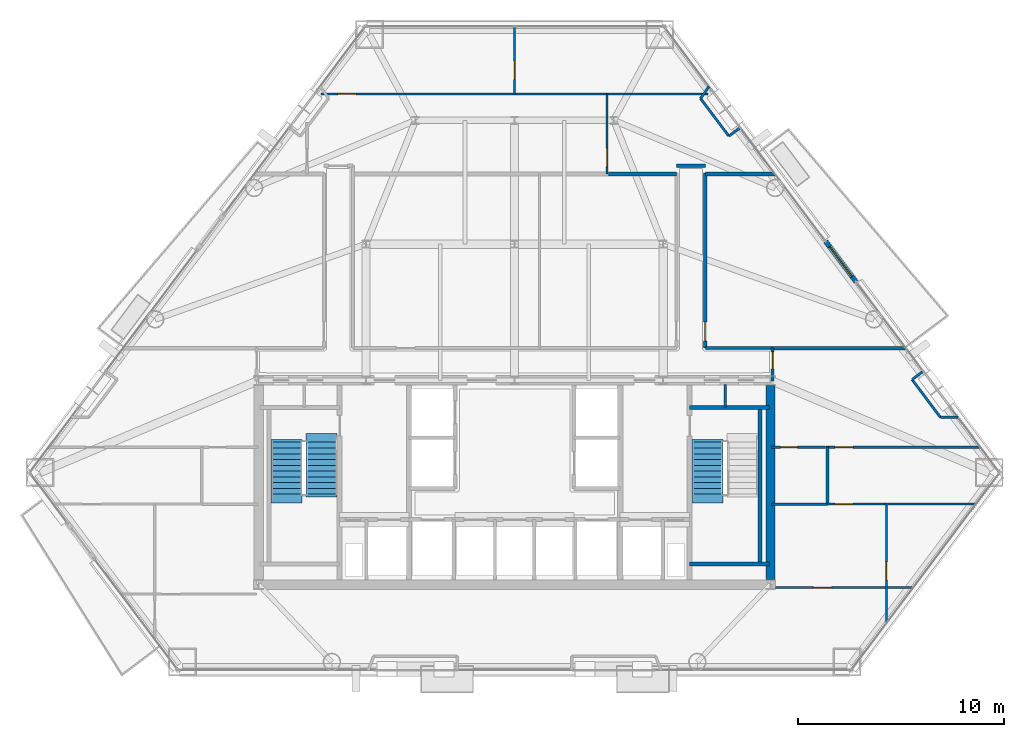
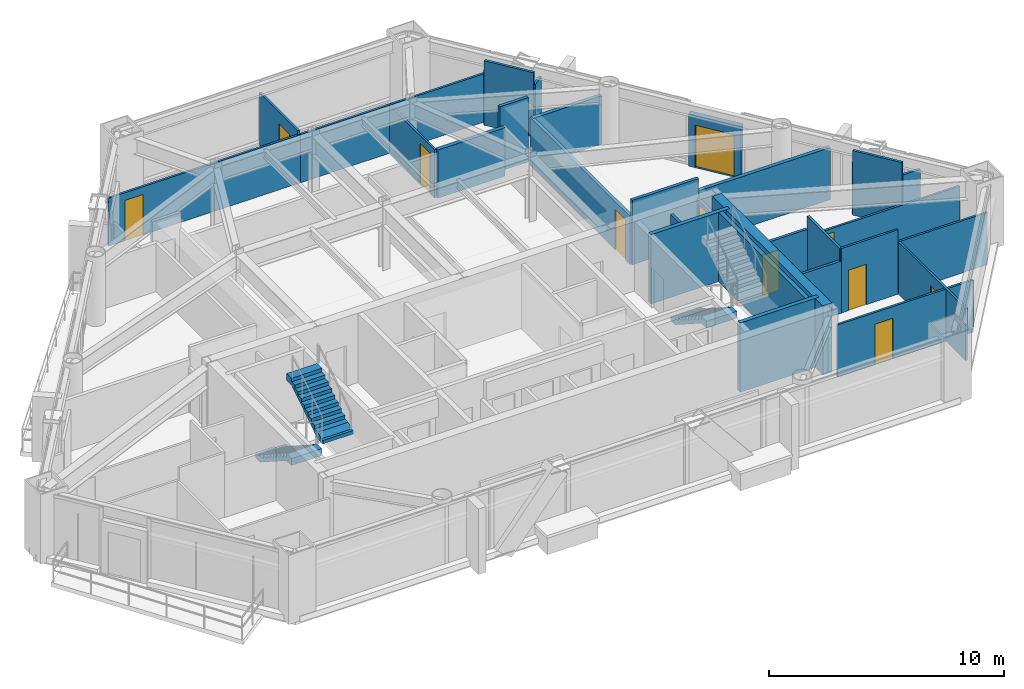
# One storey, part 8 of 11: 31 walls, 11 doors, 3 stair flights, 11 openings, 2 elements without a shape of their own.
"""IFC4 building model written with IfcOpenShell, lengths in metres."""

from ifc_helpers import new_model, si_unit, direction, frame, frame_2d, origin, place, context, subcontext, project, spatial, polyline, rectangle, outline, extrude, material, layer, layer_set, type_object, element, fill, aggregate, save


model = new_model("IFC4")

# Units and contexts
model_context = context("Model", 3, precision=1e-05, world=origin(), true_north=direction((0.0, 1.0)))
body_context = subcontext(model_context, "Body", "Model", "MODEL_VIEW")
ifc_project = project(units=[si_unit("LENGTHUNIT", "METRE"), si_unit("AREAUNIT", "SQUARE_METRE"), si_unit("VOLUMEUNIT", "CUBIC_METRE"), si_unit("PLANEANGLEUNIT", "RADIAN"), si_unit("MASSUNIT", "GRAM", prefix="KILO")], contexts=[model_context])

# Site, building, storey
site_placement = place(None, origin())
site = spatial("IfcSite", under=ifc_project, at=site_placement, CompositionType="ELEMENT")
building_placement = place(site_placement, origin())
building = spatial("IfcBuilding", under=site, at=building_placement, Name="Talgorran Terracotta Tower", CompositionType="ELEMENT")
storey_placement = place(building_placement, frame((0.0, 0.0, 68.39990234375)))
storey = spatial("IfcBuildingStorey", under=building, at=storey_placement, Name="L17", CompositionType="ELEMENT", Elevation=68.39990234375)

# Wall, opening, door
ifc_material_1 = material(Name="Concrete C40/50", Category="concrete")
ifc_layer_1 = layer(ifc_material_1, 0.239990234375, Name="WT_BALCONY_SPAND")
ifc_layer_set_1 = layer_set([ifc_layer_1], Name="Concrete C40/50")
wall_type_1 = type_object("IfcWallType", Name="WT_BALCONY_SPAND", PredefinedType="STANDARD", material=ifc_layer_set_1)
wall_1_placement = place(storey_placement, frame((16.54150390625, 0.5830078125, -0.014892578125), z_axis=(0.0, 0.0, 1.0), x_axis=(-0.601247991813, 0.799062483377, 0.0)))
wall_1 = element("IfcWall", 1, at=wall_1_placement, inside=storey, type_object=wall_type_1, Name="WL-L17-BALP-BAL-NE", PredefinedType="STANDARD", context=body_context, shape_type="SweptSolid", body=[
    extrude(rectangle(XDim=2.43994140625, YDim=0.239990234375, at=frame_2d((1.219970703125, 0.0))), origin(), (0.0, 0.0, 1.0), 2.728271484375),
])
opening_1_placement = place(wall_1_placement, frame((0.320068359375, 0.0, 0.014892578125)))
opening_1 = element("IfcOpeningElement", 2, at=opening_1_placement, cuts=wall_1, Name="Opening D-BAL-L17-1", PredefinedType="OPENING", context=body_context, shape_type="SweptSolid", body=[
    extrude(rectangle(XDim=1.806048828125, YDim=2.203951171875, at=frame_2d((0.89990234375, 1.10205078125))), frame((0.0, 0.1298828125, 0.0), z_axis=(0.0, -1.0, 0.0), x_axis=(1.0, 0.0, 0.0)), (0.0, 0.0, 1.0), 0.260009765625),
])
ifc_material_2 = material(Name="Thermally Broken Aluminium", Category="aluminium")
door_type_1 = type_object("IfcDoorType", Name="DT_BALC_1800", OperationType="SLIDING_TO_LEFT", PredefinedType="DOOR", material=ifc_material_2)
door_1_placement = place(opening_1_placement, origin())
door_1 = element("IfcDoor", 3, at=door_1_placement, inside=storey, type_object=door_type_1, Name="DR-L17-BAL-BAL-NE", OperationType="SLIDING_TO_LEFT", OverallHeight=2.199951171875, OverallWidth=1.800048828125, PredefinedType="DOOR", context=body_context, shape_type="SweptSolid", body=[
    extrude(rectangle(XDim=1.800048828125, YDim=2.199951171875, at=frame_2d((0.89990234375, 1.10009765625))), frame((0.0, 0.02490234375, 0.0), z_axis=(0.0, -1.0, 0.0), x_axis=(1.0, 0.0, 0.0)), (0.0, 0.0, 1.0), 0.050048828125),
])
fill(opening_1, door_1)

# Walls
ifc_material_3 = material(Name="Concrete C50/60", Category="concrete")
ifc_layer_2 = layer(ifc_material_3, 0.199951171875, Name="WT_CORE_200")
ifc_layer_set_2 = layer_set([ifc_layer_2], Name="Concrete C50/60")
wall_type_2 = type_object("IfcWallType", Name="WT_CORE_200", PredefinedType="SOLIDWALL", material=ifc_layer_set_2)
for number, where, z_axis, x_axis, name in (
    (4, (8.47998046875, -5.52001953125, 0.0), (0.0, 0.0, 1.0), (1.0, 0.0, 0.0), "WL-L17-CW-ST2-N"),
    (5, (8.47998046875, -13.10009765625, 0.0), (0.0, 0.0, 1.0), (1.0, 0.0, 0.0), "WL-L17-CW-ST2-S"),
):
    element("IfcWall", number, at=place(storey_placement, frame(where, z_axis=z_axis, x_axis=x_axis)), inside=storey, type_object=wall_type_2, Name=name, PredefinedType="SOLIDWALL", context=body_context, shape_type="SweptSolid", body=[
        extrude(rectangle(XDim=3.8701171875, YDim=0.199951171875, at=frame_2d((1.93505859375, 0.0))), origin(), (0.0, 0.0, 1.0), 3.60009765625),
    ])
wall_2_placement = place(storey_placement, frame((11.89990234375, -13.10009765625, 0.0), z_axis=(0.0, 0.0, 1.0), x_axis=(0.0, 1.0, 0.0)))
element("IfcWall", 6, at=wall_2_placement, inside=storey, type_object=wall_type_2, Name="WL-L17-CW-ST2-E", PredefinedType="SOLIDWALL", context=body_context, shape_type="SweptSolid", body=[
    extrude(rectangle(XDim=7.580078125, YDim=0.199951171875, at=frame_2d((3.7900390625, 0.0))), origin(), (0.0, 0.0, 1.0), 3.60009765625),
])
ifc_material_4 = material(Name="Concrete C65/80", Category="concrete")
ifc_layer_3 = layer(ifc_material_4, 0.449951171875, Name="WT_CORE_EXT")
ifc_layer_set_3 = layer_set([ifc_layer_3], Name="Concrete C65/80")
wall_type_3 = type_object("IfcWallType", Name="WT_CORE_EXT", PredefinedType="SHEAR", material=ifc_layer_set_3)
wall_3_placement = place(storey_placement, frame((12.39990234375, -13.85009765625, 0.0), z_axis=(0.0, 0.0, 1.0), x_axis=(0.0, 1.0, 0.0)))
element("IfcWall", 7, at=wall_3_placement, inside=storey, type_object=wall_type_3, Name="WL-L17-CW-OUT-E", PredefinedType="SHEAR", context=body_context, shape_type="SweptSolid", body=[
    extrude(rectangle(XDim=9.400146484375, YDim=0.449951171875, at=frame_2d((4.7001953125, 0.0))), origin(), (0.0, 0.0, 1.0), 3.60009765625),
])

# Wall, opening, door
ifc_material_5 = material(Name="Fire-Rated Steel Stud Plasterboard", Category="steel")
ifc_layer_4 = layer(ifc_material_5, 0.14990234375, Name="WT_FIRE_150")
ifc_layer_set_4 = layer_set([ifc_layer_4], Name="Fire-Rated Steel Stud Plasterboard")
wall_type_4 = type_object("IfcWallType", Name="WT_FIRE_150", PredefinedType="PARTITIONING", material=ifc_layer_set_4)
wall_4_placement = place(storey_placement, frame((9.239990234375, -2.639892578125, 0.0), z_axis=(0.0, 0.0, 1.0), x_axis=(0.0, 1.0, 0.0)))
wall_4 = element("IfcWall", 8, at=wall_4_placement, inside=storey, type_object=wall_type_4, Name="WL-L17-W-L17-R09", PredefinedType="PARTITIONING", context=body_context, shape_type="SweptSolid", body=[
    extrude(rectangle(XDim=8.5, YDim=0.14990234375, at=frame_2d((4.25, 0.0))), origin(), (0.0, 0.0, 1.0), 2.509033203125),
])
opening_2_placement = place(wall_4_placement, frame((0.360107421875, 0.0, 0.0)))
opening_2 = element("IfcOpeningElement", 9, at=opening_2_placement, cuts=wall_4, Name="Opening DR-L17-R15", PredefinedType="OPENING", context=body_context, shape_type="SweptSolid", body=[
    extrude(rectangle(XDim=0.90590234375, YDim=2.10409765625, at=frame_2d((0.449951171875, 1.052001953125))), frame((0.0, 0.0849609375, 0.0), z_axis=(0.0, -1.0, 0.0), x_axis=(1.0, 0.0, 0.0)), (0.0, 0.0, 1.0), 0.169921875),
])
ifc_material_6 = material(Name="Fire-Rated Timber Core", Category="wood")
door_type_2 = type_object("IfcDoorType", Name="DT_FIRE_900", OperationType="NOTDEFINED", PredefinedType="DOOR", material=ifc_material_6)
door_2_placement = place(opening_2_placement, origin())
door_2 = element("IfcDoor", 10, at=door_2_placement, inside=storey, type_object=door_type_2, Name="DR-L17-R15", OperationType="SINGLE_SWING_LEFT", OverallHeight=2.10009765625, OverallWidth=0.89990234375, PredefinedType="DOOR", context=body_context, shape_type="SweptSolid", body=[
    extrude(rectangle(XDim=0.89990234375, YDim=2.10009765625, at=frame_2d((0.449951171875, 1.050048828125))), frame((0.0, 0.02490234375, 0.0), z_axis=(0.0, -1.0, 0.0), x_axis=(1.0, 0.0, 0.0)), (0.0, 0.0, 1.0), 0.050048828125),
])
fill(opening_2, door_2)

# Wall
wall_5_placement = place(storey_placement, frame((9.239990234375, -2.639892578125, 0.0), z_axis=(0.0, 0.0, 1.0), x_axis=(1.0, 0.0, 0.0)))
element("IfcWall", 11, at=wall_5_placement, inside=storey, type_object=wall_type_4, Name="WL-L17-W-L17-R10", PredefinedType="PARTITIONING", context=body_context, shape_type="SweptSolid", body=[
    extrude(rectangle(XDim=3.260009765625, YDim=0.14990234375, at=frame_2d((1.6298828125, 0.0))), origin(), (0.0, 0.0, 1.0), 3.35009765625),
])

# Wall, opening, door
wall_6_placement = place(storey_placement, frame((12.5, -4.239990234375, 0.0), z_axis=(0.0, 0.0, 1.0), x_axis=(0.0, 1.0, 0.0)))
wall_6 = element("IfcWall", 12, at=wall_6_placement, inside=storey, type_object=wall_type_4, Name="WL-L17-W-L17-R02", PredefinedType="PARTITIONING", context=body_context, shape_type="SweptSolid", body=[
    extrude(rectangle(XDim=1.60009765625, YDim=0.14990234375, at=frame_2d((0.800048828125, 0.0))), origin(), (0.0, 0.0, 1.0), 2.3251953125),
])
opening_3_placement = place(wall_6_placement, frame((0.602294921875, 0.0, 0.0)))
opening_3 = element("IfcOpeningElement", 13, at=opening_3_placement, cuts=wall_6, Name="Opening DR-L17-R07", PredefinedType="OPENING", context=body_context, shape_type="SweptSolid", body=[
    extrude(rectangle(XDim=0.826068359375, YDim=2.10409765625, at=frame_2d((0.41015625, 1.052001953125))), frame((0.0, 0.0849609375, 0.0), z_axis=(0.0, -1.0, 0.0), x_axis=(1.0, 0.0, 0.0)), (0.0, 0.0, 1.0), 0.169921875),
])
ifc_material_7 = material(Name="Moisture-Resistant Solid Timber", Category="wood")
door_type_3 = type_object("IfcDoorType", Name="DT_INT_820", OperationType="NOTDEFINED", PredefinedType="DOOR", material=ifc_material_7)
door_3_placement = place(opening_3_placement, origin())
door_3 = element("IfcDoor", 14, at=door_3_placement, inside=storey, type_object=door_type_3, Name="DR-L17-R07", OperationType="SINGLE_SWING_LEFT", OverallHeight=2.10009765625, OverallWidth=0.820068359375, PredefinedType="DOOR", context=body_context, shape_type="SweptSolid", body=[
    extrude(rectangle(XDim=0.820068359375, YDim=2.10009765625, at=frame_2d((0.41015625, 1.050048828125))), frame((0.0, 0.02490234375, 0.0), z_axis=(0.0, -1.0, 0.0), x_axis=(1.0, 0.0, 0.0)), (0.0, 0.0, 1.0), 0.050048828125),
])
fill(opening_3, door_3)

# Walls
wall_7_placement = place(storey_placement, frame((7.840087890625, 6.199951171875, 0.0), z_axis=(0.0, 0.0, 1.0), x_axis=(1.0, 0.0, 0.0)))
element("IfcWall", 15, at=wall_7_placement, inside=storey, type_object=wall_type_4, Name="WL-L17-W-L17-R15", PredefinedType="PARTITIONING", context=body_context, shape_type="SweptSolid", body=[
    extrude(rectangle(XDim=1.39990234375, YDim=0.14990234375, at=frame_2d((0.699951171875, 0.0))), origin(), (0.0, 0.0, 1.0), 3.35009765625),
])
ifc_material_8 = material(Name="Acoustic Stud and Plasterboard")
ifc_layer_5 = layer(ifc_material_8, 0.179931640625, Name="WT_PARTY_200")
ifc_layer_set_5 = layer_set([ifc_layer_5], Name="Acoustic Stud and Plasterboard")
wall_type_5 = type_object("IfcWallType", Name="WT_PARTY_200", PredefinedType="PARTITIONING", material=ifc_layer_set_5)
wall_8_placement = place(storey_placement, frame((12.5, -2.639892578125, 0.0), z_axis=(0.0, 0.0, 1.0), x_axis=(1.0, 0.0, 0.0)))
element("IfcWall", 16, at=wall_8_placement, inside=storey, type_object=wall_type_5, Name="WL-L17-W-L17-R29", PredefinedType="PARTITIONING", context=body_context, shape_type="SweptSolid", body=[
    extrude(rectangle(XDim=6.466552734375, YDim=0.179931640625, at=frame_2d((3.2333984375, 0.0))), origin(), (0.0, 0.0, 1.0), 2.71337890625),
])
wall_9_placement = place(storey_placement, frame((4.5419921875, 5.800048828125, 0.0), z_axis=(0.0, 0.0, 1.0), x_axis=(1.0, 0.0, 0.0)))
element("IfcWall", 17, at=wall_9_placement, inside=storey, type_object=wall_type_5, Name="WL-L17-W-L17-R41", PredefinedType="PARTITIONING", context=body_context, shape_type="SweptSolid", body=[
    extrude(rectangle(XDim=3.298095703125, YDim=0.179931640625, at=frame_2d((1.64892578125, 0.0))), origin(), (0.0, 0.0, 1.0), 2.509033203125),
])
wall_10_placement = place(storey_placement, frame((9.239990234375, 5.800048828125, 0.0), z_axis=(0.0, 0.0, 1.0), x_axis=(1.0, 0.0, 0.0)))
element("IfcWall", 18, at=wall_10_placement, inside=storey, type_object=wall_type_5, Name="WL-L17-W-L17-R42", PredefinedType="PARTITIONING", context=body_context, shape_type="SweptSolid", body=[
    extrude(rectangle(XDim=3.376220703125, YDim=0.179931640625, at=frame_2d((1.68798828125, 0.0))), origin(), (0.0, 0.0, 1.0), 2.509033203125),
])

# Wall, opening, door
ifc_material_9 = material(Name="Lightweight Steel Stud Partition", Category="steel")
ifc_layer_6 = layer(ifc_material_9, 0.10498046875, Name="WT_PART_110")
ifc_layer_set_6 = layer_set([ifc_layer_6], Name="Lightweight Steel Stud Partition")
wall_type_6 = type_object("IfcWallType", Name="WT_PART_110", PredefinedType="PARTITIONING", material=ifc_layer_set_6)
wall_11_placement = place(storey_placement, frame((-9.3798828125, 9.679931640625, 0.0), z_axis=(0.0, 0.0, 1.0), x_axis=(1.0, 0.0, 0.0)))
wall_11 = element("IfcWall", 19, at=wall_11_placement, inside=storey, type_object=wall_type_6, Name="WL-L17-W-L17-R44", PredefinedType="PARTITIONING", context=body_context, shape_type="SweptSolid", body=[
    extrude(rectangle(XDim=9.43994140625, YDim=0.10498046875, at=frame_2d((4.719970703125, 0.0))), origin(), (0.0, 0.0, 1.0), 2.509033203125),
])
opening_4_placement = place(wall_11_placement, frame((0.81884765625, 0.0, 0.0)))
opening_4 = element("IfcOpeningElement", 20, at=opening_4_placement, cuts=wall_11, Name="Opening DR-L17-R18", PredefinedType="OPENING", context=body_context, shape_type="SweptSolid", body=[
    extrude(rectangle(XDim=0.8858828125, YDim=2.10409765625, at=frame_2d((0.43994140625, 1.052001953125))), frame((0.0, 0.0625, 0.0), z_axis=(0.0, -1.0, 0.0), x_axis=(1.0, 0.0, 0.0)), (0.0, 0.0, 1.0), 0.125),
])
ifc_material_10 = material(Name="Solid-Core Painted Timber", Category="wood")
door_type_4 = type_object("IfcDoorType", Name="DT_INT_880", OperationType="NOTDEFINED", PredefinedType="DOOR", material=ifc_material_10)
door_4_placement = place(opening_4_placement, origin())
door_4 = element("IfcDoor", 21, at=door_4_placement, inside=storey, type_object=door_type_4, Name="DR-L17-R18", OperationType="SINGLE_SWING_RIGHT", OverallHeight=2.10009765625, OverallWidth=0.8798828125, PredefinedType="DOOR", context=body_context, shape_type="SweptSolid", body=[
    extrude(rectangle(XDim=0.8798828125, YDim=2.10009765625, at=frame_2d((0.43994140625, 1.050048828125))), frame((0.0, 0.02490234375, 0.0), z_axis=(0.0, -1.0, 0.0), x_axis=(1.0, 0.0, 0.0)), (0.0, 0.0, 1.0), 0.050048828125),
])
fill(opening_4, door_4)

wall_12_placement = place(storey_placement, frame((15.080078125, -7.43994140625, 0.0), z_axis=(0.0, 0.0, 1.0), x_axis=(1.0, 0.0, 0.0)))
wall_12 = element("IfcWall", 22, at=wall_12_placement, inside=storey, type_object=wall_type_6, Name="WL-L17-W-L17-R28", PredefinedType="PARTITIONING", context=body_context, shape_type="SweptSolid", body=[
    extrude(rectangle(XDim=7.498046875, YDim=0.10498046875, at=frame_2d((3.7490234375, 0.0))), origin(), (0.0, 0.0, 1.0), 2.3251953125),
])
opening_5_placement = place(wall_12_placement, frame((0.43994140625, 0.0, 0.0)))
opening_5 = element("IfcOpeningElement", 23, at=opening_5_placement, cuts=wall_12, Name="Opening DR-L17-R09", PredefinedType="OPENING", context=body_context, shape_type="SweptSolid", body=[
    extrude(rectangle(XDim=0.8858828125, YDim=2.10409765625, at=frame_2d((0.43994140625, 1.052001953125))), frame((0.0, 0.0625, 0.0), z_axis=(0.0, -1.0, 0.0), x_axis=(1.0, 0.0, 0.0)), (0.0, 0.0, 1.0), 0.125),
])
door_5_placement = place(opening_5_placement, origin())
door_5 = element("IfcDoor", 24, at=door_5_placement, inside=storey, type_object=door_type_4, Name="DR-L17-R09", OperationType="SINGLE_SWING_LEFT", OverallHeight=2.10009765625, OverallWidth=0.8798828125, PredefinedType="DOOR", context=body_context, shape_type="SweptSolid", body=[
    extrude(rectangle(XDim=0.8798828125, YDim=2.10009765625, at=frame_2d((0.43994140625, 1.050048828125))), frame((0.0, 0.02490234375, 0.0), z_axis=(0.0, -1.0, 0.0), x_axis=(1.0, 0.0, 0.0)), (0.0, 0.0, 1.0), 0.050048828125),
])
fill(opening_5, door_5)

wall_13_placement = place(storey_placement, frame((12.652099609375, -14.239990234375, 0.0), z_axis=(0.0, 0.0, 1.0), x_axis=(1.0, 0.0, 0.0)))
wall_13 = element("IfcWall", 25, at=wall_13_placement, inside=storey, type_object=wall_type_6, Name="WL-L17-W-L17-R34", PredefinedType="PARTITIONING", context=body_context, shape_type="SweptSolid", body=[
    extrude(rectangle(XDim=6.664794921875, YDim=0.10498046875, at=frame_2d((3.33251953125, 0.0))), origin(), (0.0, 0.0, 1.0), 2.71337890625),
])
opening_6_placement = place(wall_13_placement, frame((1.832275390625, 0.0, 0.0)))
opening_6 = element("IfcOpeningElement", 26, at=opening_6_placement, cuts=wall_13, Name="Opening DR-L17-R10", PredefinedType="OPENING", context=body_context, shape_type="SweptSolid", body=[
    extrude(rectangle(XDim=0.8858828125, YDim=2.10409765625, at=frame_2d((0.43994140625, 1.052001953125))), frame((0.0, 0.0625, 0.0), z_axis=(0.0, -1.0, 0.0), x_axis=(1.0, 0.0, 0.0)), (0.0, 0.0, 1.0), 0.125),
])
door_6_placement = place(opening_6_placement, origin())
door_6 = element("IfcDoor", 27, at=door_6_placement, inside=storey, type_object=door_type_4, Name="DR-L17-R10", OperationType="SINGLE_SWING_RIGHT", OverallHeight=2.10009765625, OverallWidth=0.8798828125, PredefinedType="DOOR", context=body_context, shape_type="SweptSolid", body=[
    extrude(rectangle(XDim=0.8798828125, YDim=2.10009765625, at=frame_2d((0.43994140625, 1.050048828125))), frame((0.0, 0.02490234375, 0.0), z_axis=(0.0, -1.0, 0.0), x_axis=(1.0, 0.0, 0.0)), (0.0, 0.0, 1.0), 0.050048828125),
])
fill(opening_6, door_6)

wall_14_placement = place(storey_placement, frame((18.02001953125, -15.963623046875, 0.0), z_axis=(0.0, 0.0, 1.0), x_axis=(0.0, 1.0, 0.0)))
wall_14 = element("IfcWall", 28, at=wall_14_placement, inside=storey, type_object=wall_type_6, Name="WL-L17-W-L17-R35", PredefinedType="PARTITIONING", context=body_context, shape_type="SweptSolid", body=[
    extrude(rectangle(XDim=5.763671875, YDim=0.10498046875, at=frame_2d((2.8818359375, 0.0))), origin(), (0.0, 0.0, 1.0), 2.71337890625),
])
opening_7_placement = place(wall_14_placement, frame((2.080322265625, 0.0, 0.0)))
opening_7 = element("IfcOpeningElement", 29, at=opening_7_placement, cuts=wall_14, Name="Opening DR-L17-R11", PredefinedType="OPENING", context=body_context, shape_type="SweptSolid", body=[
    extrude(rectangle(XDim=0.8858828125, YDim=2.10409765625, at=frame_2d((0.43994140625, 1.052001953125))), frame((0.0, 0.0625, 0.0), z_axis=(0.0, -1.0, 0.0), x_axis=(1.0, 0.0, 0.0)), (0.0, 0.0, 1.0), 0.125),
])
door_7_placement = place(opening_7_placement, origin())
door_7 = element("IfcDoor", 30, at=door_7_placement, inside=storey, type_object=door_type_4, Name="DR-L17-R11", OperationType="SINGLE_SWING_LEFT", OverallHeight=2.10009765625, OverallWidth=0.8798828125, PredefinedType="DOOR", context=body_context, shape_type="SweptSolid", body=[
    extrude(rectangle(XDim=0.8798828125, YDim=2.10009765625, at=frame_2d((0.43994140625, 1.050048828125))), frame((0.0, 0.02490234375, 0.0), z_axis=(0.0, -1.0, 0.0), x_axis=(1.0, 0.0, 0.0)), (0.0, 0.0, 1.0), 0.050048828125),
])
fill(opening_7, door_7)

# Walls
wall_15_placement = place(storey_placement, frame((0.06201171875, 9.679931640625, 0.0), z_axis=(0.0, 0.0, 1.0), x_axis=(1.0, 0.0, 0.0)))
element("IfcWall", 31, at=wall_15_placement, inside=storey, type_object=wall_type_6, Name="WL-L17-W-L17-R48", PredefinedType="PARTITIONING", context=body_context, shape_type="SweptSolid", body=[
    extrude(rectangle(XDim=9.31787109375, YDim=0.10498046875, at=frame_2d((4.658935546875, 0.0))), origin(), (0.0, 0.0, 1.0), 2.509033203125),
])
wall_16_placement = place(storey_placement, frame((17.9599609375, -10.199951171875, 0.0), z_axis=(0.0, 0.0, 1.0), x_axis=(1.0, 0.0, 0.0)))
element("IfcWall", 32, at=wall_16_placement, inside=storey, type_object=wall_type_6, Name="WL-L17-W-L17-R33", PredefinedType="PARTITIONING", context=body_context, shape_type="SweptSolid", body=[
    extrude(rectangle(XDim=4.396728515625, YDim=0.10498046875, at=frame_2d((2.1982421875, 0.0))), origin(), (0.0, 0.0, 1.0), 2.71337890625),
])

# Wall, opening, door
wall_17_placement = place(storey_placement, frame((4.47998046875, 5.800048828125, 0.0), z_axis=(0.0, 0.0, 1.0), x_axis=(0.0, 1.0, 0.0)))
wall_17 = element("IfcWall", 33, at=wall_17_placement, inside=storey, type_object=wall_type_6, Name="WL-L17-W-L17-R46", PredefinedType="PARTITIONING", context=body_context, shape_type="SweptSolid", body=[
    extrude(rectangle(XDim=3.8798828125, YDim=0.10498046875, at=frame_2d((1.93994140625, 0.0))), origin(), (0.0, 0.0, 1.0), 2.509033203125),
])
opening_8_placement = place(wall_17_placement, frame((0.356689453125, 0.0, 0.0)))
opening_8 = element("IfcOpeningElement", 34, at=opening_8_placement, cuts=wall_17, Name="Opening DR-L17-R20", PredefinedType="OPENING", context=body_context, shape_type="SweptSolid", body=[
    extrude(rectangle(XDim=0.8858828125, YDim=2.10409765625, at=frame_2d((0.43994140625, 1.052001953125))), frame((0.0, 0.0625, 0.0), z_axis=(0.0, -1.0, 0.0), x_axis=(1.0, 0.0, 0.0)), (0.0, 0.0, 1.0), 0.125),
])
door_8_placement = place(opening_8_placement, origin())
door_8 = element("IfcDoor", 35, at=door_8_placement, inside=storey, type_object=door_type_4, Name="DR-L17-R20", OperationType="SINGLE_SWING_RIGHT", OverallHeight=2.10009765625, OverallWidth=0.8798828125, PredefinedType="DOOR", context=body_context, shape_type="SweptSolid", body=[
    extrude(rectangle(XDim=0.8798828125, YDim=2.10009765625, at=frame_2d((0.43994140625, 1.050048828125))), frame((0.0, 0.02490234375, 0.0), z_axis=(0.0, -1.0, 0.0), x_axis=(1.0, 0.0, 0.0)), (0.0, 0.0, 1.0), 0.050048828125),
])
fill(opening_8, door_8)

wall_18_placement = place(storey_placement, frame((0.0, 9.679931640625, 0.0), z_axis=(0.0, 0.0, 1.0), x_axis=(0.0, 1.0, 0.0)))
wall_18 = element("IfcWall", 36, at=wall_18_placement, inside=storey, type_object=wall_type_6, Name="WL-L17-W-L17-R47", PredefinedType="PARTITIONING", context=body_context, shape_type="SweptSolid", body=[
    extrude(rectangle(XDim=3.27294921875, YDim=0.10498046875, at=frame_2d((1.636474609375, 0.0))), origin(), (0.0, 0.0, 1.0), 2.71337890625),
])
opening_9_placement = place(wall_18_placement, frame((0.712646484375, 0.0, 0.0)))
opening_9 = element("IfcOpeningElement", 37, at=opening_9_placement, cuts=wall_18, Name="Opening DR-L17-R19", PredefinedType="OPENING", context=body_context, shape_type="SweptSolid", body=[
    extrude(rectangle(XDim=0.8858828125, YDim=2.10409765625, at=frame_2d((0.43994140625, 1.052001953125))), frame((0.0, 0.0625, 0.0), z_axis=(0.0, -1.0, 0.0), x_axis=(1.0, 0.0, 0.0)), (0.0, 0.0, 1.0), 0.125),
])
door_9_placement = place(opening_9_placement, origin())
door_9 = element("IfcDoor", 38, at=door_9_placement, inside=storey, type_object=door_type_4, Name="DR-L17-R19", OperationType="SINGLE_SWING_LEFT", OverallHeight=2.10009765625, OverallWidth=0.8798828125, PredefinedType="DOOR", context=body_context, shape_type="SweptSolid", body=[
    extrude(rectangle(XDim=0.8798828125, YDim=2.10009765625, at=frame_2d((0.43994140625, 1.050048828125))), frame((0.0, 0.02490234375, 0.0), z_axis=(0.0, -1.0, 0.0), x_axis=(1.0, 0.0, 0.0)), (0.0, 0.0, 1.0), 0.050048828125),
])
fill(opening_9, door_9)

wall_19_placement = place(storey_placement, frame((15.159912109375, -10.199951171875, 0.0), z_axis=(0.0, 0.0, 1.0), x_axis=(1.0, 0.0, 0.0)))
wall_19 = element("IfcWall", 39, at=wall_19_placement, inside=storey, type_object=wall_type_6, Name="WL-L17-W-L17-R32", PredefinedType="PARTITIONING", context=body_context, shape_type="SweptSolid", body=[
    extrude(rectangle(XDim=2.798095703125, YDim=0.10498046875, at=frame_2d((1.39892578125, 0.0))), origin(), (0.0, 0.0, 1.0), 3.35009765625),
])
opening_10_placement = place(wall_19_placement, frame((0.360107421875, 0.0, 0.0)))
opening_10 = element("IfcOpeningElement", 40, at=opening_10_placement, cuts=wall_19, Name="Opening DR-L17-R21", PredefinedType="OPENING", context=body_context, shape_type="SweptSolid", body=[
    extrude(rectangle(XDim=0.8858828125, YDim=2.10409765625, at=frame_2d((0.43994140625, 1.052001953125))), frame((0.0, 0.0625, 0.0), z_axis=(0.0, -1.0, 0.0), x_axis=(1.0, 0.0, 0.0)), (0.0, 0.0, 1.0), 0.125),
])
door_10_placement = place(opening_10_placement, origin())
door_10 = element("IfcDoor", 41, at=door_10_placement, inside=storey, type_object=door_type_4, Name="DR-L17-R21", OperationType="SINGLE_SWING_LEFT", OverallHeight=2.10009765625, OverallWidth=0.8798828125, PredefinedType="DOOR", context=body_context, shape_type="SweptSolid", body=[
    extrude(rectangle(XDim=0.8798828125, YDim=2.10009765625, at=frame_2d((0.43994140625, 1.050048828125))), frame((0.0, 0.02490234375, 0.0), z_axis=(0.0, -1.0, 0.0), x_axis=(1.0, 0.0, 0.0)), (0.0, 0.0, 1.0), 0.050048828125),
])
fill(opening_10, door_10)

# Walls
ifc_material_11 = material(Name="Insulated Steel Stud Plasterboard", Category="steel")
ifc_layer_7 = layer(ifc_material_11, 0.1201171875, Name="WT_PART_120")
ifc_layer_set_7 = layer_set([ifc_layer_7], Name="Insulated Steel Stud Plasterboard")
wall_type_7 = type_object("IfcWallType", Name="WT_PART_120", PredefinedType="PARTITIONING", material=ifc_layer_set_7)
wall_20_placement = place(storey_placement, frame((10.199951171875, -5.52001953125, 0.0), z_axis=(0.0, 0.0, 1.0), x_axis=(0.0, 1.0, 0.0)))
element("IfcWall", 42, at=wall_20_placement, inside=storey, type_object=wall_type_7, Name="WL-L17-CW-CSE-DIV", PredefinedType="PARTITIONING", context=body_context, shape_type="SweptSolid", body=[
    extrude(rectangle(XDim=1.1201171875, YDim=0.1201171875, at=frame_2d((0.56005859375, 0.0))), origin(), (0.0, 0.0, 1.0), 3.35009765625),
])
for number, where, z_axis, x_axis, name in (
    (43, (10.384521484375, 7.634765625, 0.0), (0.0, 0.0, 1.0), (-0.601181786604, 0.799112294647, 0.0), "WL-L17-BW-L17-17"),
    (44, (20.633056640625, -5.98583984375, 0.0), (0.0, 0.0, 1.0), (-0.601181786604, 0.799112294647, 0.0), "WL-L17-BW-L17-12"),
):
    element("IfcWall", number, at=place(storey_placement, frame(where, z_axis=z_axis, x_axis=x_axis)), inside=storey, type_object=wall_type_7, Name=name, PredefinedType="PARTITIONING", context=body_context, shape_type="SweptSolid", body=[
        extrude(rectangle(XDim=2.279541015625, YDim=0.1201171875, at=frame_2d((1.1396484375, 0.0))), origin(), (0.0, 0.0, 1.0), 3.35009765625),
    ])
wall_21_placement = place(storey_placement, frame((21.4814453125, -5.9990234375, 0.0), z_axis=(0.0, 0.0, 1.0), x_axis=(-0.99987928277, 0.015537692452, 0.0)))
element("IfcWall", 45, at=wall_21_placement, inside=storey, type_object=wall_type_7, Name="WL-L17-BW-L17-11", PredefinedType="PARTITIONING", context=body_context, shape_type="SweptSolid", body=[
    extrude(rectangle(XDim=0.848388671875, YDim=0.1201171875, at=frame_2d((0.42431640625, 0.0))), origin(), (0.0, 0.0, 1.0), 2.71337890625),
])
wall_22_placement = place(storey_placement, frame((9.01416015625, 9.456298828125, 0.0), z_axis=(0.0, 0.0, 1.0), x_axis=(0.566924874962, 0.823769498191, 0.0)))
element("IfcWall", 46, at=wall_22_placement, inside=storey, type_object=wall_type_7, Name="WL-L17-BW-L17-18", PredefinedType="PARTITIONING", context=body_context, shape_type="SweptSolid", body=[
    extrude(rectangle(XDim=0.706298828125, YDim=0.1201171875, at=frame_2d((0.35302734375, 0.0))), origin(), (0.0, 0.0, 1.0), 2.71337890625),
])
for number, where, z_axis, x_axis, name in (
    (47, (10.919921875, 8.03759765625, 0.0), (0.0, 0.0, 1.0), (-0.799080830747, -0.601223607265, 0.0), "WL-L17-BW-L17-16"),
    (48, (19.2626953125, -4.164306640625, 0.0), (0.0, 0.0, 1.0), (0.798949061571, 0.601398700544, 0.0), "WL-L17-BW-L17-10"),
):
    element("IfcWall", number, at=place(storey_placement, frame(where, z_axis=z_axis, x_axis=x_axis)), inside=storey, type_object=wall_type_7, Name=name, PredefinedType="PARTITIONING", context=body_context, shape_type="SweptSolid", body=[
        extrude(rectangle(XDim=0.669921875, YDim=0.1201171875, at=frame_2d((0.3349609375, 0.0))), origin(), (0.0, 0.0, 1.0), 2.71337890625),
    ])

# Wall, opening, door
ifc_material_12 = material(Name="Moisture-Resistant Stud Wall")
ifc_layer_8 = layer(ifc_material_12, 0.135009765625, Name="WT_PART_135")
ifc_layer_set_8 = layer_set([ifc_layer_8], Name="Moisture-Resistant Stud Wall")
wall_type_8 = type_object("IfcWallType", Name="WT_PART_135", PredefinedType="PARTITIONING", material=ifc_layer_set_8)
wall_23_placement = place(storey_placement, frame((12.43994140625, -7.43994140625, 0.0), z_axis=(0.0, 0.0, 1.0), x_axis=(1.0, 0.0, 0.0)))
wall_23 = element("IfcWall", 49, at=wall_23_placement, inside=storey, type_object=wall_type_8, Name="WL-L17-W-L17-R27", PredefinedType="PARTITIONING", context=body_context, shape_type="SweptSolid", body=[
    extrude(rectangle(XDim=2.637939453125, YDim=0.135009765625, at=frame_2d((1.31884765625, 0.0))), origin(), (0.0, 0.0, 1.0), 2.71337890625),
])
opening_11_placement = place(wall_23_placement, frame((0.457763671875, 0.0, 0.0)))
opening_11 = element("IfcOpeningElement", 50, at=opening_11_placement, cuts=wall_23, Name="Opening DR-L17-R08", PredefinedType="OPENING", context=body_context, shape_type="SweptSolid", body=[
    extrude(rectangle(XDim=0.826068359375, YDim=2.10409765625, at=frame_2d((0.41015625, 1.052001953125))), frame((0.0, 0.07763671875, 0.0), z_axis=(0.0, -1.0, 0.0), x_axis=(1.0, 0.0, 0.0)), (0.0, 0.0, 1.0), 0.155029296875),
])
door_11_placement = place(opening_11_placement, origin())
door_11 = element("IfcDoor", 51, at=door_11_placement, inside=storey, type_object=door_type_3, Name="DR-L17-R08", OperationType="SINGLE_SWING_RIGHT", OverallHeight=2.10009765625, OverallWidth=0.820068359375, PredefinedType="DOOR", context=body_context, shape_type="SweptSolid", body=[
    extrude(rectangle(XDim=0.820068359375, YDim=2.10009765625, at=frame_2d((0.41015625, 1.050048828125))), frame((0.0, 0.02490234375, 0.0), z_axis=(0.0, -1.0, 0.0), x_axis=(1.0, 0.0, 0.0)), (0.0, 0.0, 1.0), 0.050048828125),
])
fill(opening_11, door_11)

# Walls
wall_24_placement = place(storey_placement, frame((15.159912109375, -10.199951171875, 0.0), z_axis=(0.0, 0.0, 1.0), x_axis=(0.0, 1.0, 0.0)))
element("IfcWall", 52, at=wall_24_placement, inside=storey, type_object=wall_type_8, Name="WL-L17-W-L17-R30", PredefinedType="PARTITIONING", context=body_context, shape_type="SweptSolid", body=[
    extrude(rectangle(XDim=2.760009765625, YDim=0.135009765625, at=frame_2d((1.3798828125, 0.0))), origin(), (0.0, 0.0, 1.0), 3.35009765625),
])
wall_25_placement = place(storey_placement, frame((12.43994140625, -10.199951171875, 0.0), z_axis=(0.0, 0.0, 1.0), x_axis=(1.0, 0.0, 0.0)))
element("IfcWall", 53, at=wall_25_placement, inside=storey, type_object=wall_type_8, Name="WL-L17-W-L17-R31", PredefinedType="PARTITIONING", context=body_context, shape_type="SweptSolid", body=[
    extrude(rectangle(XDim=2.719970703125, YDim=0.135009765625, at=frame_2d((1.35986328125, 0.0))), origin(), (0.0, 0.0, 1.0), 2.71337890625),
])

# Stair, stair flights
stair_type = type_object("IfcStairType", Name="ST_FIRE_SCISSOR", PredefinedType="HALF_TURN_STAIR", material=ifc_material_1)
stair_1_placement = place(storey_placement, origin())
stair_1 = element("IfcStair", 54, at=stair_1_placement, inside=storey, type_object=stair_type, Name="L17 West Protected Fire Stair ST-01", PredefinedType="HALF_TURN_STAIR")
ifc_layer_9 = layer(ifc_material_1, 0.179931640625, Name="STF_RC_1500")
ifc_layer_set_9 = layer_set([ifc_layer_9], Name="Concrete C40/50")
stair_flight_type = type_object("IfcStairFlightType", Name="STF_RC_1500", PredefinedType="STRAIGHT", material=ifc_layer_set_9)
stair_flight_1_placement = place(storey_placement, frame((-11.050048828125, -7.199951171875, 0.0), z_axis=(0.0, 0.0, 1.0), x_axis=(0.0, -1.0, 0.0)))
stair_flight_1 = element("IfcStairFlight", 55, at=stair_flight_1_placement, type_object=stair_flight_type, Name="ST-01 flight 1", NumberOfRisers=10, NumberOfTreads=9, PredefinedType="STRAIGHT", RiserHeight=0.18, TreadLength=0.28, context=body_context, shape_type="SweptSolid", body=[
    extrude(outline(polyline([(-0.139892578125, 0.0), (-0.139892578125, 0.179931640625), (0.0, 0.179931640625), (0.280029296875, 0.360107421875), (0.56005859375, 0.360107421875), (0.56005859375, 0.5400390625), (0.840087890625, 0.5400390625), (0.840087890625, 0.719970703125), (1.1201171875, 0.719970703125), (1.1201171875, 0.89990234375), (1.39990234375, 0.89990234375), (1.39990234375, 1.080078125), (1.679931640625, 1.080078125), (1.679931640625, 1.260009765625), (1.9599609375, 1.260009765625), (1.9599609375, 1.43994140625), (2.239990234375, 1.43994140625), (2.239990234375, 1.6201171875), (2.52001953125, 1.6201171875), (2.52001953125, 1.800048828125), (2.93994140625, 1.800048828125), (2.93994140625, 1.44189453125), (2.52001953125, 1.44189453125), (0.277099609375, 0.0), (-0.139892578125, 0.0)])), frame((0.0, 0.75, 0.0), z_axis=(0.0, -1.0, 0.0), x_axis=(1.0, 0.0, 0.0)), (0.0, 0.0, 1.0), 1.5),
])
stair_flight_2_placement = place(storey_placement, frame((-9.35009765625, -9.719970703125, 1.800048828125), z_axis=(0.0, 0.0, 1.0), x_axis=(0.0, 1.0, 0.0)))
stair_flight_2 = element("IfcStairFlight", 56, at=stair_flight_2_placement, type_object=stair_flight_type, Name="ST-01 flight 2", NumberOfRisers=10, NumberOfTreads=9, PredefinedType="STRAIGHT", RiserHeight=0.18, TreadLength=0.28, context=body_context, shape_type="SweptSolid", body=[
    extrude(outline(polyline([(-0.139892578125, 0.0), (-0.139892578125, 0.179931640625), (0.0, 0.179931640625), (0.280029296875, 0.360107421875), (0.56005859375, 0.360107421875), (0.56005859375, 0.5400390625), (0.840087890625, 0.5400390625), (0.840087890625, 0.719970703125), (1.1201171875, 0.719970703125), (1.1201171875, 0.89990234375), (1.39990234375, 0.89990234375), (1.39990234375, 1.080078125), (1.679931640625, 1.080078125), (1.679931640625, 1.260009765625), (1.9599609375, 1.260009765625), (1.9599609375, 1.43994140625), (2.239990234375, 1.43994140625), (2.239990234375, 1.6201171875), (2.52001953125, 1.6201171875), (2.52001953125, 1.800048828125), (2.93994140625, 1.800048828125), (2.93994140625, 1.44189453125), (2.52001953125, 1.44189453125), (0.277099609375, 0.0), (-0.139892578125, 0.0)])), frame((0.0, 0.75, 0.0), z_axis=(0.0, -1.0, 0.0), x_axis=(1.0, 0.0, 0.0)), (0.0, 0.0, 1.0), 1.5),
])
aggregate(stair_1, [stair_flight_1, stair_flight_2])

# Stair, stair flight
stair_2_placement = place(storey_placement, origin())
stair_2 = element("IfcStair", 57, at=stair_2_placement, inside=storey, type_object=stair_type, Name="L17 East Protected Fire Stair ST-02", PredefinedType="HALF_TURN_STAIR")
stair_flight_3_placement = place(storey_placement, frame((9.35009765625, -7.199951171875, 0.0), z_axis=(0.0, 0.0, 1.0), x_axis=(0.0, -1.0, 0.0)))
stair_flight_3 = element("IfcStairFlight", 58, at=stair_flight_3_placement, type_object=stair_flight_type, Name="ST-02 flight 1", NumberOfRisers=10, NumberOfTreads=9, PredefinedType="STRAIGHT", RiserHeight=0.18, TreadLength=0.28, context=body_context, shape_type="SweptSolid", body=[
    extrude(outline(polyline([(-0.139892578125, 0.0), (-0.139892578125, 0.179931640625), (0.0, 0.179931640625), (0.280029296875, 0.360107421875), (0.56005859375, 0.360107421875), (0.56005859375, 0.5400390625), (0.840087890625, 0.5400390625), (0.840087890625, 0.719970703125), (1.1201171875, 0.719970703125), (1.1201171875, 0.89990234375), (1.39990234375, 0.89990234375), (1.39990234375, 1.080078125), (1.679931640625, 1.080078125), (1.679931640625, 1.260009765625), (1.9599609375, 1.260009765625), (1.9599609375, 1.43994140625), (2.239990234375, 1.43994140625), (2.239990234375, 1.6201171875), (2.52001953125, 1.6201171875), (2.52001953125, 1.800048828125), (2.93994140625, 1.800048828125), (2.93994140625, 1.44189453125), (2.52001953125, 1.44189453125), (0.277099609375, 0.0), (-0.139892578125, 0.0)])), frame((0.0, 0.75, 0.0), z_axis=(0.0, -1.0, 0.0), x_axis=(1.0, 0.0, 0.0)), (0.0, 0.0, 1.0), 1.5),
])
aggregate(stair_2, [stair_flight_3])

save(model, "model.ifc")
